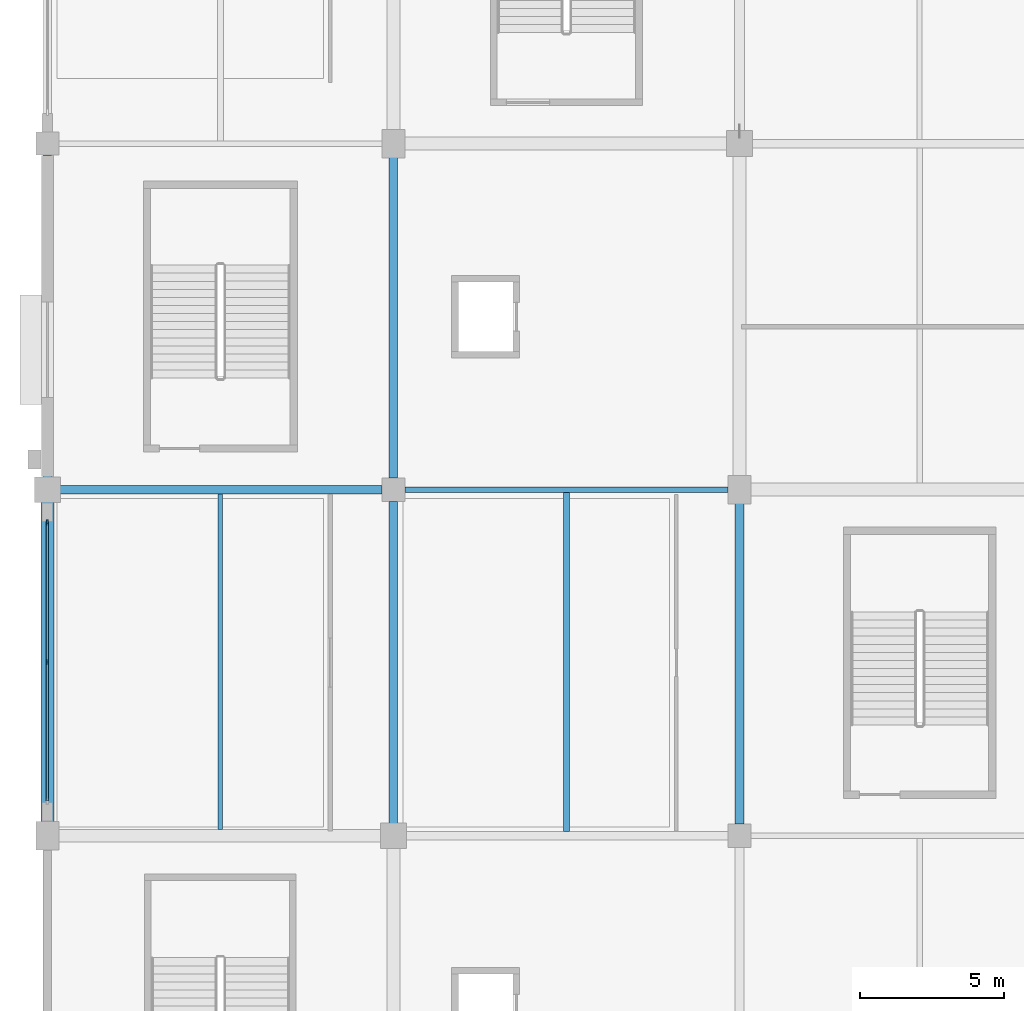
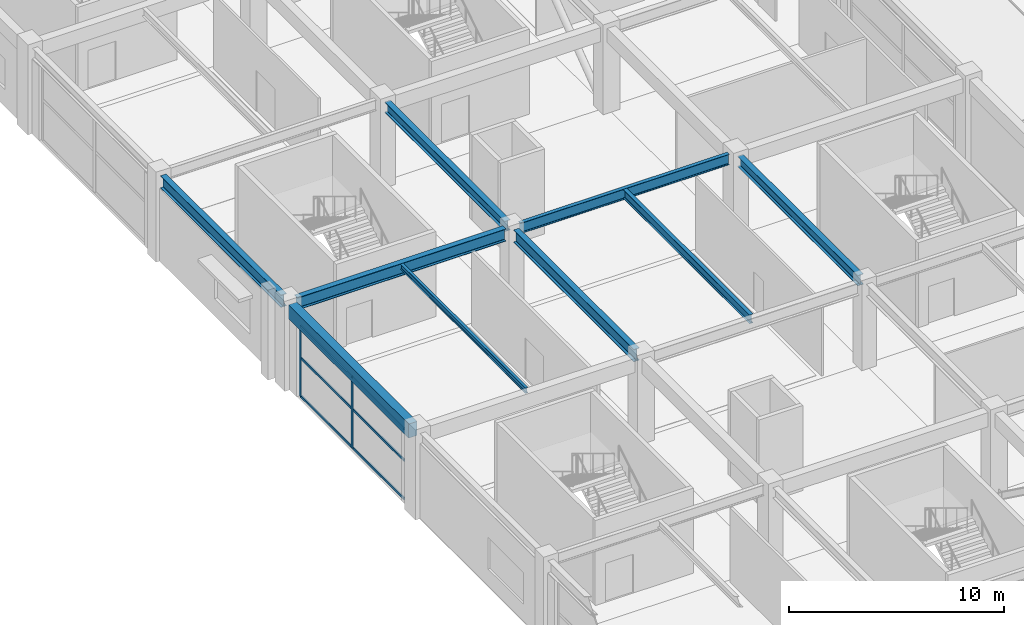
# One storey, part 22 of 116: 9 beams, 8 members, 1 element without a shape of its own.
"""IFC4 building model written with IfcOpenShell, lengths in metres."""

from ifc_helpers import new_model, si_unit, direction, frame, origin, origin_2d, place, context, subcontext, project, spatial, rectangle, i_section, extrude, material, layer, layer_set, material_profile, profile_set, type_object, element, aggregate, save


model = new_model("IFC4")

# Units and contexts
model_context = context("Model", 3, precision=1e-05, world=origin(), true_north=direction((0.0, 1.0)))
body_context = subcontext(model_context, "Body", "Model", "MODEL_VIEW")
ifc_project = project(units=[si_unit("LENGTHUNIT", "METRE"), si_unit("AREAUNIT", "SQUARE_METRE"), si_unit("VOLUMEUNIT", "CUBIC_METRE"), si_unit("PLANEANGLEUNIT", "RADIAN"), si_unit("MASSUNIT", "GRAM", prefix="KILO")], contexts=[model_context])

# Site, building, storey
site_placement = place(None, origin())
site = spatial("IfcSite", under=ifc_project, at=site_placement, CompositionType="ELEMENT")
building_placement = place(site_placement, origin())
building = spatial("IfcBuilding", under=site, at=building_placement, Name="Kazenohara Klinker Stadium", CompositionType="ELEMENT")
storey_placement = place(building_placement, frame((0.0, 0.0, 10.199951171875)))
storey = spatial("IfcBuildingStorey", under=building, at=storey_placement, Name="L02", CompositionType="ELEMENT", Elevation=10.199951171875)

# Beams
ifc_material_1 = material(Name="Steel S355", Category="steel")
ifc_material_profile_1 = material_profile(ifc_material_1, i_section(OverallWidth=0.199951171875, OverallDepth=0.5, WebThickness=0.010009765625, FlangeThickness=0.01611328125, FilletRadius=0.012939453125, at=origin_2d()), Name="H-500x200x10x16")
ifc_profile_set_1 = profile_set([ifc_material_profile_1], Name="Steel S355")
beam_type_1 = type_object("IfcBeamType", Name="BM-JST01", PredefinedType="JOIST", material=ifc_profile_set_1)
beam_1_placement = place(storey_placement, frame((18.0, 72.14990234375, 4.570068359375), z_axis=(0.0, 1.0, 0.0), x_axis=(-1.0, 0.0, 0.0)))
element("IfcBeam", 1, at=beam_1_placement, inside=storey, type_object=beam_type_1, Name="Secondary floor joist SJ01 L02 2/G", PredefinedType="JOIST", context=body_context, shape_type="SweptSolid", body=[
    extrude(i_section(OverallWidth=0.199951171875, OverallDepth=0.5, WebThickness=0.010009765625, FlangeThickness=0.01611328125, FilletRadius=0.012939453125, at=origin_2d()), origin(), (0.0, 0.0, 1.0), 11.75),
])
ifc_material_profile_2 = material_profile(ifc_material_1, i_section(OverallWidth=0.14990234375, OverallDepth=0.300048828125, WebThickness=0.006591796875, FlangeThickness=0.009033203125, FilletRadius=0.012939453125, at=origin_2d()), Name="H-300x150x6.5x9")
ifc_profile_set_2 = profile_set([ifc_material_profile_2], Name="Steel S355")
beam_type_2 = type_object("IfcBeamType", Name="BM-JST05", PredefinedType="JOIST", material=ifc_profile_set_2)
beam_2_placement = place(storey_placement, frame((6.0, 72.22509765625, 4.670166015625), z_axis=(0.0, 1.0, 0.0), x_axis=(-1.0, 0.0, 0.0)))
element("IfcBeam", 2, at=beam_2_placement, inside=storey, type_object=beam_type_2, Name="Secondary floor joist SJ05 L02 1/G", PredefinedType="JOIST", context=body_context, shape_type="SweptSolid", body=[
    extrude(i_section(OverallWidth=0.14990234375, OverallDepth=0.300048828125, WebThickness=0.006591796875, FlangeThickness=0.009033203125, FilletRadius=0.012939453125, at=origin_2d()), origin(), (0.0, 0.0, 1.0), 11.625),
])
ifc_material_2 = material(Name="Concrete C40/50", Category="concrete")
ifc_material_profile_3 = material_profile(ifc_material_2, rectangle(XDim=0.449951171875, YDim=0.800048828125, at=origin_2d()), Name="RC-BM-450x800")
ifc_profile_set_3 = profile_set([ifc_material_profile_3], Name="Concrete C40/50")
beam_type_3 = type_object("IfcBeamType", Name="BM-RC03", PredefinedType="BEAM", material=ifc_profile_set_3)
beam_3_placement = place(storey_placement, frame((0.0, 72.419921875, 4.420166015625), z_axis=(0.0, 1.0, 0.0), x_axis=(-1.0, 0.0, 0.0)))
element("IfcBeam", 3, at=beam_3_placement, inside=storey, type_object=beam_type_3, Name="Primary girder BG03 L02 1/G-H", PredefinedType="BEAM", context=body_context, shape_type="SweptSolid", body=[
    extrude(rectangle(XDim=0.449951171875, YDim=0.800048828125, at=origin_2d()), origin(), (0.0, 0.0, 1.0), 11.16015625),
])
ifc_material_profile_4 = material_profile(ifc_material_1, i_section(OverallWidth=0.300048828125, OverallDepth=0.699951171875, WebThickness=0.012939453125, FlangeThickness=0.02392578125, FilletRadius=0.02197265625, at=origin_2d()), Name="H-700x300x13x24")
ifc_profile_set_4 = profile_set([ifc_material_profile_4], Name="Steel S355")
beam_type_4 = type_object("IfcBeamType", Name="BM-ST03", PredefinedType="BEAM", material=ifc_profile_set_4)
for number, where, z_axis, x_axis, name in (
    (4, (0.419921875, 84.0, 4.469970703125), (1.0, 0.0, 0.0), (0.0, 1.0, 0.0), "Primary girder SB03 L02 1-2/H"),
    (5, (0.0, 84.419921875, 4.469970703125), (0.0, 1.0, 0.0), (-1.0, 0.0, 0.0), "Primary girder SB03 L02 1/H-J"),
    (6, (12.0, 72.419921875, 4.469970703125), (0.0, 1.0, 0.0), (-1.0, 0.0, 0.0), "Primary girder SB03 L02 2/G-H"),
):
    element("IfcBeam", number, at=place(storey_placement, frame(where, z_axis=z_axis, x_axis=x_axis)), inside=storey, type_object=beam_type_4, Name=name, PredefinedType="BEAM", context=body_context, shape_type="SweptSolid", body=[
        extrude(i_section(OverallWidth=0.300048828125, OverallDepth=0.699951171875, WebThickness=0.012939453125, FlangeThickness=0.02392578125, FilletRadius=0.02197265625, at=origin_2d()), origin(), (0.0, 0.0, 1.0), 11.18017578125),
    ])
ifc_material_profile_5 = material_profile(ifc_material_1, i_section(OverallWidth=0.199951171875, OverallDepth=0.60009765625, WebThickness=0.010986328125, FlangeThickness=0.01708984375, FilletRadius=0.012939453125, at=origin_2d()), Name="H-600x200x11x17")
ifc_profile_set_5 = profile_set([ifc_material_profile_5], Name="Steel S355")
beam_type_5 = type_object("IfcBeamType", Name="BM-ST04", PredefinedType="BEAM", material=ifc_profile_set_5)
beam_4_placement = place(storey_placement, frame((12.39990234375, 84.0, 4.52001953125), z_axis=(1.0, 0.0, 0.0), x_axis=(0.0, 1.0, 0.0)))
element("IfcBeam", 7, at=beam_4_placement, inside=storey, type_object=beam_type_5, Name="Primary girder SB04 L02 2-3/H", PredefinedType="BEAM", context=body_context, shape_type="SweptSolid", body=[
    extrude(i_section(OverallWidth=0.199951171875, OverallDepth=0.60009765625, WebThickness=0.010986328125, FlangeThickness=0.01708984375, FilletRadius=0.012939453125, at=origin_2d()), origin(), (0.0, 0.0, 1.0), 11.2001953125),
])
ifc_material_profile_6 = material_profile(ifc_material_1, i_section(OverallWidth=0.300048828125, OverallDepth=0.587890625, WebThickness=0.011962890625, FlangeThickness=0.02001953125, FilletRadius=0.02197265625, at=origin_2d()), Name="H-588x300x12x20")
ifc_profile_set_6 = profile_set([ifc_material_profile_6], Name="Steel S355")
beam_type_6 = type_object("IfcBeamType", Name="BM-ST05", PredefinedType="BEAM", material=ifc_profile_set_6)
for number, where, z_axis, x_axis, name in (
    (8, (12.0, 84.39990234375, 4.526123046875), (0.0, 1.0, 0.0), (-1.0, 0.0, 0.0), "Primary girder SB05 L02 2/H-J"),
    (9, (24.0, 72.39990234375, 4.526123046875), (0.0, 1.0, 0.0), (-1.0, 0.0, 0.0), "Primary girder SB05 L02 3/G-H"),
):
    element("IfcBeam", number, at=place(storey_placement, frame(where, z_axis=z_axis, x_axis=x_axis)), inside=storey, type_object=beam_type_6, Name=name, PredefinedType="BEAM", context=body_context, shape_type="SweptSolid", body=[
        extrude(i_section(OverallWidth=0.300048828125, OverallDepth=0.587890625, WebThickness=0.011962890625, FlangeThickness=0.02001953125, FilletRadius=0.02197265625, at=origin_2d()), origin(), (0.0, 0.0, 1.0), 11.18017578125),
    ])

# Curtain wall, members
ifc_material_3 = material(Name="Anodised aluminium and triple glazing", Category="aluminium")
ifc_layer = layer(ifc_material_3, 0.169921875)
ifc_layer_set = layer_set([ifc_layer], Name="Anodised aluminium and triple glazing")
curtain_wall_type = type_object("IfcCurtainWallType", Name="CW-SYS-04", PredefinedType="USERDEFINED", material=ifc_layer_set)
curtain_wall_placement = place(storey_placement, origin())
curtain_wall = element("IfcCurtainWall", 10, at=curtain_wall_placement, inside=storey, type_object=curtain_wall_type, Name="Unitised facade curtain wall CW04 L02 Y0-6", ObjectType="UNITISED CURTAIN WALL", PredefinedType="USERDEFINED")
ifc_material_4 = material(Name="Anodised aluminium 6063-T6", Category="aluminium")
ifc_material_profile_7 = material_profile(ifc_material_4, rectangle(XDim=0.06494140625, YDim=0.179931640625, at=origin_2d()), Name="ALU-MUL-65x180")
ifc_profile_set_7 = profile_set([ifc_material_profile_7], Name="Anodised aluminium 6063-T6")
member_type_1 = type_object("IfcMemberType", Name="CW-MUL-180", PredefinedType="MULLION", material=ifc_profile_set_7)
member_1_placement = place(storey_placement, frame((0.0, 78.02490234375, 0.0), z_axis=(0.0, 0.0, 1.0), x_axis=(-1.0, 0.0, 0.0)))
member_1 = element("IfcMember", 11, at=member_1_placement, type_object=member_type_1, Name="CW04 mullion 2", PredefinedType="MULLION", context=body_context, shape_type="SweptSolid", body=[
    extrude(rectangle(XDim=0.06494140625, YDim=0.179931640625, at=origin_2d()), origin(), (0.0, 0.0, 1.0), 4.02001953125),
])
member_2_placement = place(storey_placement, frame((0.0, 82.863525390625, 0.0), z_axis=(0.0, 0.0, 1.0), x_axis=(-1.0, 0.0, 0.0)))
member_2 = element("IfcMember", 12, at=member_2_placement, type_object=member_type_1, Name="CW04 mullion 3", PredefinedType="MULLION", context=body_context, shape_type="SweptSolid", body=[
    extrude(rectangle(XDim=0.06494140625, YDim=0.179931640625, at=origin_2d()), origin(), (0.0, 0.0, 1.0), 4.02001953125),
])
ifc_material_profile_8 = material_profile(ifc_material_4, rectangle(XDim=0.06494140625, YDim=0.139892578125, at=origin_2d()), Name="ALU-TRN-65x140")
ifc_profile_set_8 = profile_set([ifc_material_profile_8], Name="Anodised aluminium 6063-T6")
member_type_2 = type_object("IfcMemberType", Name="CW-TRN-140", PredefinedType="USERDEFINED", material=ifc_profile_set_8)
member_3_placement = place(storey_placement, frame((0.0, 73.218994140625, 0.032470703125), z_axis=(0.0, 1.0, 0.0), x_axis=(-1.0, 0.0, 0.0)))
member_3 = element("IfcMember", 13, at=member_3_placement, type_object=member_type_2, Name="CW04 transom 1.1", ObjectType="TRANSOM", PredefinedType="USERDEFINED", context=body_context, shape_type="SweptSolid", body=[
    extrude(rectangle(XDim=0.06494140625, YDim=0.139892578125, at=origin_2d()), origin(), (0.0, 0.0, 1.0), 4.7734375),
])
member_4_placement = place(storey_placement, frame((0.0, 73.218994140625, 2.2109375), z_axis=(0.0, 1.0, 0.0), x_axis=(-1.0, 0.0, 0.0)))
member_4 = element("IfcMember", 14, at=member_4_placement, type_object=member_type_2, Name="CW04 transom 1.2", ObjectType="TRANSOM", PredefinedType="USERDEFINED", context=body_context, shape_type="SweptSolid", body=[
    extrude(rectangle(XDim=0.06494140625, YDim=0.139892578125, at=origin_2d()), origin(), (0.0, 0.0, 1.0), 4.7734375),
])
member_5_placement = place(storey_placement, frame((0.0, 73.218994140625, 3.987548828125), z_axis=(0.0, 1.0, 0.0), x_axis=(-1.0, 0.0, 0.0)))
member_5 = element("IfcMember", 15, at=member_5_placement, type_object=member_type_2, Name="CW04 transom 1.3", ObjectType="TRANSOM", PredefinedType="USERDEFINED", context=body_context, shape_type="SweptSolid", body=[
    extrude(rectangle(XDim=0.06494140625, YDim=0.139892578125, at=origin_2d()), origin(), (0.0, 0.0, 1.0), 4.7734375),
])
member_6_placement = place(storey_placement, frame((0.0, 78.0576171875, 0.032470703125), z_axis=(0.0, 1.0, 0.0), x_axis=(-1.0, 0.0, 0.0)))
member_6 = element("IfcMember", 16, at=member_6_placement, type_object=member_type_2, Name="CW04 transom 2.1", ObjectType="TRANSOM", PredefinedType="USERDEFINED", context=body_context, shape_type="SweptSolid", body=[
    extrude(rectangle(XDim=0.06494140625, YDim=0.139892578125, at=origin_2d()), origin(), (0.0, 0.0, 1.0), 4.7734375),
])
member_7_placement = place(storey_placement, frame((0.0, 78.0576171875, 2.2109375), z_axis=(0.0, 1.0, 0.0), x_axis=(-1.0, 0.0, 0.0)))
member_7 = element("IfcMember", 17, at=member_7_placement, type_object=member_type_2, Name="CW04 transom 2.2", ObjectType="TRANSOM", PredefinedType="USERDEFINED", context=body_context, shape_type="SweptSolid", body=[
    extrude(rectangle(XDim=0.06494140625, YDim=0.139892578125, at=origin_2d()), origin(), (0.0, 0.0, 1.0), 4.7734375),
])
member_8_placement = place(storey_placement, frame((0.0, 78.0576171875, 3.987548828125), z_axis=(0.0, 1.0, 0.0), x_axis=(-1.0, 0.0, 0.0)))
member_8 = element("IfcMember", 18, at=member_8_placement, type_object=member_type_2, Name="CW04 transom 2.3", ObjectType="TRANSOM", PredefinedType="USERDEFINED", context=body_context, shape_type="SweptSolid", body=[
    extrude(rectangle(XDim=0.06494140625, YDim=0.139892578125, at=origin_2d()), origin(), (0.0, 0.0, 1.0), 4.7734375),
])
aggregate(curtain_wall, [member_1, member_2, member_3, member_4, member_5, member_6, member_7, member_8])

save(model, "model.ifc")
